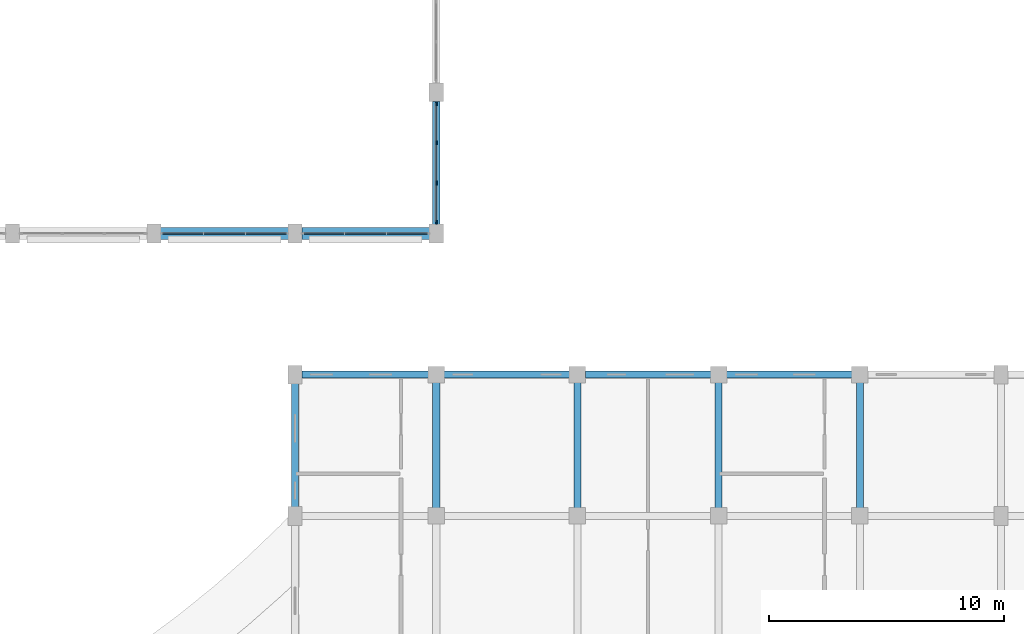
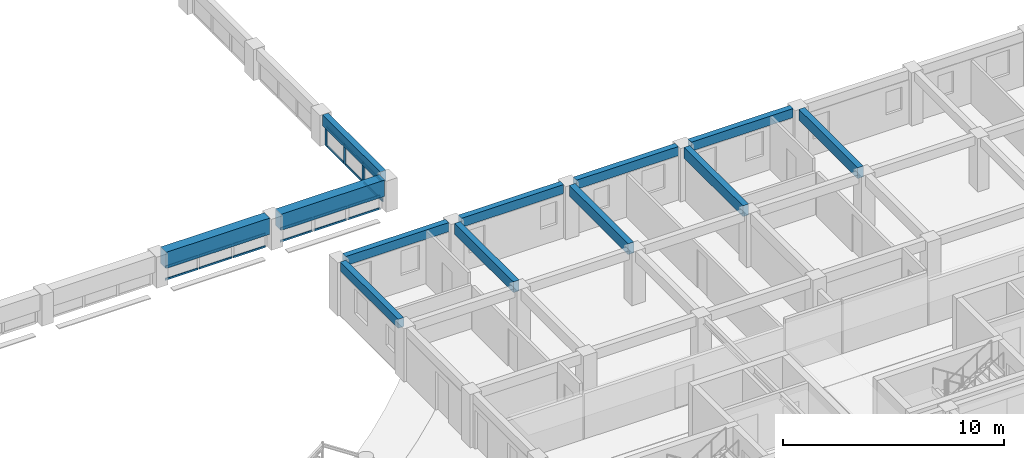
# One storey, part 36 of 137: 22 members, 12 beams, 3 elements without a shape of their own.
"""IFC4 building model written with IfcOpenShell, lengths in metres."""

import ifcopenshell
import ifcopenshell.guid

model = None  # the IFC model being written
_history = None  # IfcOwnerHistory: only IFC2X3 demands one
_inside = {}  # id of a spatial element -> (the spatial element, [elements in it])
_under = {}  # id of a project, library or spatial element -> (it, [spatial elements below it])
_declared = {}  # id of a project -> (the project, [libraries it declares])
_typed = {}  # id of a type object -> (the type object, [elements of that type])
_made_of = {}  # id of a material, layer set ... -> (it, [elements and type objects made of it])


def new_model(schema):
    """Start an empty IFC model of exactly this schema.

    Asked for "IFC4X3", IfcOpenShell would pick the latest addendum, in which some entities
    have other attributes; the version numbers below select the first issue.
    IFC2X3 requires an IfcOwnerHistory on every rooted entity: one is made here for all.
    """
    global model, _history
    if schema == "IFC4X3":
        model = ifcopenshell.file(schema_version=(4, 3, 0, 0))
    else:
        model = ifcopenshell.file(schema=schema)
    _inside.clear()
    _under.clear()
    _declared.clear()
    _typed.clear()
    _made_of.clear()
    _history = None
    if model.schema == "IFC2X3":
        org = make("IfcOrganization", Name="unknown")
        user = make(
            "IfcPersonAndOrganization",
            ThePerson=make("IfcPerson", FamilyName="unknown"),
            TheOrganization=org,
        )
        app = make(
            "IfcApplication",
            ApplicationDeveloper=org,
            Version="unknown",
            ApplicationFullName="unknown",
            ApplicationIdentifier="unknown",
        )
        _history = make(
            "IfcOwnerHistory",
            OwningUser=user,
            OwningApplication=app,
            ChangeAction="ADDED",
            CreationDate=0,
        )
    return model


def make(cls, **values):
    """One entity of the class cls with the attributes given. An attribute that is None is left unset."""
    return model.create_entity(
        cls, **{name: value for name, value in values.items() if value is not None}
    )


def rooted(cls, **values):
    """An entity with a GlobalId (a new one), such as an element, a storey or a relation."""
    return make(cls, GlobalId=ifcopenshell.guid.new(), OwnerHistory=_history, **values)


def si_unit(unit_type, name, prefix=None):
    """IfcSIUnit, for example si_unit("LENGTHUNIT", "METRE", prefix="MILLI")."""
    return make("IfcSIUnit", UnitType=unit_type, Prefix=prefix, Name=name)


def assignment(units):
    """IfcUnitAssignment: the units of a project."""
    return None if units is None else make("IfcUnitAssignment", Units=units)


def point(xyz):
    """IfcCartesianPoint."""
    return None if xyz is None else make("IfcCartesianPoint", Coordinates=xyz)


def direction(xyz):
    """IfcDirection."""
    return None if xyz is None else make("IfcDirection", DirectionRatios=xyz)


def frame(location, z_axis=None, x_axis=None):
    """IfcAxis2Placement3D, a coordinate frame: its origin and axes. An axis left out is left unset."""
    return make(
        "IfcAxis2Placement3D",
        Location=point(location),
        Axis=direction(z_axis),
        RefDirection=direction(x_axis),
    )


def frame_2d(location, x_axis=None):
    """IfcAxis2Placement2D, a coordinate frame in the plane: its origin and x axis."""
    return make(
        "IfcAxis2Placement2D", Location=point(location), RefDirection=direction(x_axis)
    )


def origin():
    """The frame at (0, 0, 0) with its axes left unset."""
    return frame((0.0, 0.0, 0.0))


def origin_2d():
    """The frame at (0, 0) in the plane with its x axis left unset."""
    return frame_2d((0.0, 0.0))


def place(relative_to, where):
    """IfcLocalPlacement: puts the frame where relative to a parent placement (None: the world)."""
    return make(
        "IfcLocalPlacement", PlacementRelTo=relative_to, RelativePlacement=where
    )


def context(
    kind, dimensions, precision=None, world=None, true_north=None, identifier=None
):
    """IfcGeometricRepresentationContext, for example the 3D "Model" context."""
    return make(
        "IfcGeometricRepresentationContext",
        ContextIdentifier=identifier,
        ContextType=kind,
        CoordinateSpaceDimension=dimensions,
        Precision=precision,
        WorldCoordinateSystem=world,
        TrueNorth=true_north,
    )


def subcontext(parent, identifier, kind, view, scale=None):
    """IfcGeometricRepresentationSubContext, for example "Body" below "Model"."""
    return make(
        "IfcGeometricRepresentationSubContext",
        ContextIdentifier=identifier,
        ContextType=kind,
        ParentContext=parent,
        TargetScale=scale,
        TargetView=view,
    )


def project(units=None, contexts=None):
    """IfcProject with its units and contexts."""
    return rooted(
        "IfcProject",
        Name="project",
        RepresentationContexts=contexts,
        UnitsInContext=assignment(units),
    )


def spatial(cls, under=None, at=None, **own):
    """A site, building, storey or space (cls), placed at a placement, below another one or the project."""
    s = rooted(cls, ObjectPlacement=at, **own)
    if under is not None:
        _under.setdefault(under.id(), (under, []))[1].append(s)
    return s


def profile(cls, at=None, kind="AREA", **sizes):
    """A parametric profile (cls). Its sizes go by their IFC names, for example OverallWidth=200.0."""
    return make(cls, ProfileType=kind, Position=at, **sizes)


def rectangle(**sizes):
    """IfcRectangleProfileDef."""
    return profile("IfcRectangleProfileDef", **sizes)


def extrude(swept, where, along, depth):
    """IfcExtrudedAreaSolid: the profile swept, set in the frame where, extruded along a direction by depth."""
    return make(
        "IfcExtrudedAreaSolid",
        SweptArea=swept,
        Position=where,
        ExtrudedDirection=direction(along),
        Depth=depth,
    )


def shape(context_of_items, identifier, shape_type, items):
    """IfcShapeRepresentation: the items that make up one representation, for example the "Body"."""
    return make(
        "IfcShapeRepresentation",
        ContextOfItems=context_of_items,
        RepresentationIdentifier=identifier,
        RepresentationType=shape_type,
        Items=items,
    )


def material(Name=None, Category=None):
    """IfcMaterial."""
    return make("IfcMaterial", Name=Name, Category=Category)


def layer(
    of_material, thickness, ventilated=None, Name=None, Category=None, Priority=None
):
    """IfcMaterialLayer: one layer of a wall or slab, of a material (None: an air gap)."""
    return make(
        "IfcMaterialLayer",
        Material=of_material,
        LayerThickness=thickness,
        IsVentilated=ventilated,
        Name=Name,
        Category=Category,
        Priority=Priority,
    )


def layer_set(layers, Name=None):
    """IfcMaterialLayerSet."""
    return make("IfcMaterialLayerSet", MaterialLayers=layers, LayerSetName=Name)


def material_profile(
    of_material, cross_section, Name=None, Category=None, Priority=None
):
    """IfcMaterialProfile: a cross section and its material."""
    return make(
        "IfcMaterialProfile",
        Name=Name,
        Material=of_material,
        Profile=cross_section,
        Priority=Priority,
        Category=Category,
    )


def profile_set(profiles, Name=None, composite=None):
    """IfcMaterialProfileSet."""
    return make(
        "IfcMaterialProfileSet",
        Name=Name,
        MaterialProfiles=profiles,
        CompositeProfile=composite,
    )


def made_of(thing, what):
    """Note that an element or type object is made of a material, layer set ...; save() writes the relation."""
    if what is not None:
        _made_of.setdefault(what.id(), (what, []))[1].append(thing)
    return thing


def type_object(cls, material=None, **own):
    """A type object (cls), such as IfcWallType, which elements share."""
    return made_of(rooted(cls, **own), material)


def element(
    cls,
    number,
    at=None,
    inside=None,
    cuts=None,
    type_object=None,
    material=None,
    context=None,
    identifier="Body",
    shape_type=None,
    held_by="IfcProductDefinitionShape",
    body=None,
    shapes=None,
    **own,
):
    """One element of the class cls, such as IfcWall. Its Tag is "e" and its number.

    at: its placement. inside: the storey or other place that contains it. cuts: it is an
    opening in that element (IfcRelVoidsElement). A single representation is given by context,
    identifier, shape_type and body (its items); several are given by shapes. held_by: the class
    of the entity that holds the representations. save() writes the other relations.
    """
    e = rooted(cls, Tag="e%d" % number, ObjectPlacement=at, **own)
    if body is not None:
        shapes = [shape(context, identifier, shape_type, body)]
    if shapes is not None:
        e.Representation = make(held_by, Representations=shapes)
    if inside is not None:
        _inside.setdefault(inside.id(), (inside, []))[1].append(e)
    if cuts is not None:
        rooted(
            "IfcRelVoidsElement", RelatingBuildingElement=cuts, RelatedOpeningElement=e
        )
    if type_object is not None:
        _typed.setdefault(type_object.id(), (type_object, []))[1].append(e)
    return made_of(e, material)


def aggregate(whole, parts):
    """IfcRelAggregates: a whole, such as a stair, and the parts it consists of."""
    return rooted("IfcRelAggregates", RelatingObject=whole, RelatedObjects=parts)


def save(model, path):
    """Write the relations noted so far, then the file.

    IfcRelAggregates (storeys below a building ...), IfcRelContainedInSpatialStructure (elements
    in a storey), IfcRelDefinesByType, IfcRelAssociatesMaterial and IfcRelDeclares: one each for
    every whole, place, type object, material and project.
    """
    for whole, parts in _under.values():
        aggregate(whole, parts)
    for where, things in _inside.values():
        rooted(
            "IfcRelContainedInSpatialStructure",
            RelatedElements=things,
            RelatingStructure=where,
        )
    for kind, things in _typed.values():
        rooted("IfcRelDefinesByType", RelatedObjects=things, RelatingType=kind)
    for what, things in _made_of.values():
        rooted("IfcRelAssociatesMaterial", RelatedObjects=things, RelatingMaterial=what)
    for by, libraries in _declared.values():
        rooted("IfcRelDeclares", RelatingContext=by, RelatedDefinitions=libraries)
    model.write(path)


model = new_model("IFC4")

# Units and contexts
model_context = context("Model", 3, precision=1e-05, world=origin(), true_north=direction((0.0, 1.0)))
body_context = subcontext(model_context, "Body", "Model", "MODEL_VIEW")
ifc_project = project(units=[si_unit("LENGTHUNIT", "METRE"), si_unit("AREAUNIT", "SQUARE_METRE"), si_unit("VOLUMEUNIT", "CUBIC_METRE"), si_unit("PLANEANGLEUNIT", "RADIAN"), si_unit("MASSUNIT", "GRAM", prefix="KILO"), si_unit("POWERUNIT", "WATT"), si_unit("THERMODYNAMICTEMPERATUREUNIT", "KELVIN")], contexts=[model_context])

# Site, building, storey
site_placement = place(None, origin())
site = spatial("IfcSite", under=ifc_project, at=site_placement, CompositionType="ELEMENT")
building_placement = place(site_placement, origin())
building = spatial("IfcBuilding", under=site, at=building_placement, Name="Ruvembo Vaulted Housing Court", CompositionType="ELEMENT")
storey_placement = place(building_placement, frame((0.0, 0.0, 4.5)))
storey = spatial("IfcBuildingStorey", under=building, at=storey_placement, Name="L01", CompositionType="ELEMENT", Elevation=4.5)

# Beams
ifc_material_1 = material(Name="Concrete C35/45", Category="concrete")
ifc_material_profile_1 = material_profile(ifc_material_1, rectangle(XDim=0.300048828125, YDim=0.60009765625, at=origin_2d()), Name="RC 300x600")
ifc_profile_set_1 = profile_set([ifc_material_profile_1], Name="Concrete C35/45")
beam_type_1 = type_object("IfcBeamType", Name="BM-RC-300x600", PredefinedType="BEAM", material=ifc_profile_set_1)
beam_1_placement = place(storey_placement, frame((108.0, 30.3349609375, 2.64501953125), z_axis=(0.0, 1.0, 0.0), x_axis=(-1.0, 0.0, 0.0)))
element("IfcBeam", 1, at=beam_1_placement, inside=storey, type_object=beam_type_1, Name="L01 Grid Beam Y #1391", PredefinedType="BEAM", context=body_context, shape_type="SweptSolid", body=[
    extrude(rectangle(XDim=0.300048828125, YDim=0.60009765625, at=origin_2d()), origin(), (0.0, 0.0, 1.0), 5.330078125),
])
beam_2_placement = place(storey_placement, frame((108.0, 42.385009765625, 1.39990234375), z_axis=(0.0, 1.0, 0.0), x_axis=(-1.0, 0.0, 0.0)))
element("IfcBeam", 2, at=beam_2_placement, inside=storey, type_object=beam_type_1, Name="L01 Grid Beam Y #1392", PredefinedType="BEAM", context=body_context, shape_type="SweptSolid", body=[
    extrude(rectangle(XDim=0.300048828125, YDim=0.60009765625, at=origin_2d()), origin(), (0.0, 0.0, 1.0), 5.22998046875),
])
for number, where, z_axis, x_axis, name in (
    (3, (114.0, 30.3349609375, 2.64501953125), (0.0, 1.0, 0.0), (-1.0, 0.0, 0.0), "L01 Grid Beam Y #1400"),
    (4, (120.0, 30.3349609375, 2.64501953125), (0.0, 1.0, 0.0), (-1.0, 0.0, 0.0), "L01 Grid Beam Y #1404"),
    (5, (126.0, 30.3349609375, 2.64501953125), (0.0, 1.0, 0.0), (-1.0, 0.0, 0.0), "L01 Grid Beam Y #1408"),
):
    element("IfcBeam", number, at=place(storey_placement, frame(where, z_axis=z_axis, x_axis=x_axis)), inside=storey, type_object=beam_type_1, Name=name, PredefinedType="BEAM", context=body_context, shape_type="SweptSolid", body=[
        extrude(rectangle(XDim=0.300048828125, YDim=0.60009765625, at=origin_2d()), origin(), (0.0, 0.0, 1.0), 5.330078125),
    ])

# Curtain wall, members
ifc_material_2 = material(Name="Anodised Aluminium and Solar-Control Glass", Category="aluminium")
ifc_layer_1 = layer(ifc_material_2, 0.179931640625, Name="Anodised Aluminium and Solar-Control Glass")
ifc_layer_set_1 = layer_set([ifc_layer_1], Name="Anodised Aluminium and Solar-Control Glass")
curtain_wall_type_1 = type_object("IfcCurtainWallType", Name="CW-HALL-TYMP", PredefinedType="NOTDEFINED", material=ifc_layer_set_1)
curtain_wall_1_placement = place(storey_placement, origin())
curtain_wall_1 = element("IfcCurtainWall", 6, at=curtain_wall_1_placement, inside=storey, type_object=curtain_wall_type_1, Name="L01 Curtain Wall CW-L01-0122", PredefinedType="NOTDEFINED")
ifc_material_3 = material(Name="Anodised Aluminium 6063-T6", Category="aluminium")
ifc_material_profile_2 = material_profile(ifc_material_3, rectangle(XDim=0.06494140625, YDim=0.179931640625, at=origin_2d()), Name="ALU 65x180")
ifc_profile_set_2 = profile_set([ifc_material_profile_2], Name="Anodised Aluminium 6063-T6")
member_type_1 = type_object("IfcMemberType", Name="CW-MUL-65x180", PredefinedType="MULLION", material=ifc_profile_set_2)
member_1_placement = place(storey_placement, frame((108.0, 42.482421875, 0.0), z_axis=(0.0, 0.0, 1.0), x_axis=(-1.0, 0.0, 0.0)))
member_1 = element("IfcMember", 7, at=member_1_placement, type_object=member_type_1, Name="CW2 mullion 1", PredefinedType="MULLION", context=body_context, shape_type="SweptSolid", body=[
    extrude(rectangle(XDim=0.06494140625, YDim=0.179931640625, at=origin_2d()), origin(), (0.0, 0.0, 1.0), 1.10009765625),
])
member_2_placement = place(storey_placement, frame((108.0, 44.14990234375, 0.0), z_axis=(0.0, 0.0, 1.0), x_axis=(-1.0, 0.0, 0.0)))
member_2 = element("IfcMember", 8, at=member_2_placement, type_object=member_type_1, Name="CW2 mullion 2", PredefinedType="MULLION", context=body_context, shape_type="SweptSolid", body=[
    extrude(rectangle(XDim=0.06494140625, YDim=0.179931640625, at=origin_2d()), origin(), (0.0, 0.0, 1.0), 1.10009765625),
])
member_3_placement = place(storey_placement, frame((108.0, 45.85009765625, 0.0), z_axis=(0.0, 0.0, 1.0), x_axis=(-1.0, 0.0, 0.0)))
member_3 = element("IfcMember", 9, at=member_3_placement, type_object=member_type_1, Name="CW2 mullion 3", PredefinedType="MULLION", context=body_context, shape_type="SweptSolid", body=[
    extrude(rectangle(XDim=0.06494140625, YDim=0.179931640625, at=origin_2d()), origin(), (0.0, 0.0, 1.0), 1.10009765625),
])
member_4_placement = place(storey_placement, frame((108.0, 47.517578125, 0.0), z_axis=(0.0, 0.0, 1.0), x_axis=(-1.0, 0.0, 0.0)))
member_4 = element("IfcMember", 10, at=member_4_placement, type_object=member_type_1, Name="CW2 mullion 4", PredefinedType="MULLION", context=body_context, shape_type="SweptSolid", body=[
    extrude(rectangle(XDim=0.06494140625, YDim=0.179931640625, at=origin_2d()), origin(), (0.0, 0.0, 1.0), 1.10009765625),
])

ifc_layer_2 = layer(ifc_material_2, 0.139892578125, Name="Anodised Aluminium and Solar-Control Glass")
ifc_layer_set_2 = layer_set([ifc_layer_2], Name="Anodised Aluminium and Solar-Control Glass")
curtain_wall_type_2 = type_object("IfcCurtainWallType", Name="CW-HALL-CLER", PredefinedType="NOTDEFINED", material=ifc_layer_set_2)
curtain_wall_2_placement = place(storey_placement, origin())
curtain_wall_2 = element("IfcCurtainWall", 11, at=curtain_wall_2_placement, inside=storey, type_object=curtain_wall_type_2, Name="L01 Curtain Wall CW-L01-0107", PredefinedType="NOTDEFINED")
ifc_material_profile_3 = material_profile(ifc_material_3, rectangle(XDim=0.06005859375, YDim=0.10009765625, at=origin_2d()), Name="ALU 60x100")
ifc_profile_set_3 = profile_set([ifc_material_profile_3], Name="Anodised Aluminium 6063-T6")
member_type_2 = type_object("IfcMemberType", Name="CW-TRN-60x100", PredefinedType="USERDEFINED", material=ifc_profile_set_3)
member_5_placement = place(storey_placement, frame((96.3798828125, 42.0, 0.030029296875), z_axis=(1.0, 0.0, 0.0), x_axis=(0.0, 1.0, 0.0)))
member_5 = element("IfcMember", 12, at=member_5_placement, type_object=member_type_2, Name="CW7 transom 1.1", ObjectType="TRANSOM", PredefinedType="USERDEFINED", context=body_context, shape_type="SweptSolid", body=[
    extrude(rectangle(XDim=0.06005859375, YDim=0.10009765625, at=origin_2d()), origin(), (0.0, 0.0, 1.0), 1.700927734375),
])
member_6_placement = place(storey_placement, frame((96.3798828125, 42.0, 0.719970703125), z_axis=(1.0, 0.0, 0.0), x_axis=(0.0, 1.0, 0.0)))
member_6 = element("IfcMember", 13, at=member_6_placement, type_object=member_type_2, Name="CW7 transom 1.2", ObjectType="TRANSOM", PredefinedType="USERDEFINED", context=body_context, shape_type="SweptSolid", body=[
    extrude(rectangle(XDim=0.06005859375, YDim=0.10009765625, at=origin_2d()), origin(), (0.0, 0.0, 1.0), 1.700927734375),
])
member_7_placement = place(storey_placement, frame((98.1357421875, 42.0, 0.030029296875), z_axis=(1.0, 0.0, 0.0), x_axis=(0.0, 1.0, 0.0)))
member_7 = element("IfcMember", 14, at=member_7_placement, type_object=member_type_2, Name="CW7 transom 2.1", ObjectType="TRANSOM", PredefinedType="USERDEFINED", context=body_context, shape_type="SweptSolid", body=[
    extrude(rectangle(XDim=0.06005859375, YDim=0.10009765625, at=origin_2d()), origin(), (0.0, 0.0, 1.0), 1.728515625),
])
member_8_placement = place(storey_placement, frame((98.1357421875, 42.0, 0.719970703125), z_axis=(1.0, 0.0, 0.0), x_axis=(0.0, 1.0, 0.0)))
member_8 = element("IfcMember", 15, at=member_8_placement, type_object=member_type_2, Name="CW7 transom 2.2", ObjectType="TRANSOM", PredefinedType="USERDEFINED", context=body_context, shape_type="SweptSolid", body=[
    extrude(rectangle(XDim=0.06005859375, YDim=0.10009765625, at=origin_2d()), origin(), (0.0, 0.0, 1.0), 1.728515625),
])
member_9_placement = place(storey_placement, frame((99.919189453125, 42.0, 0.030029296875), z_axis=(1.0, 0.0, 0.0), x_axis=(0.0, 1.0, 0.0)))
member_9 = element("IfcMember", 16, at=member_9_placement, type_object=member_type_2, Name="CW7 transom 3.1", ObjectType="TRANSOM", PredefinedType="USERDEFINED", context=body_context, shape_type="SweptSolid", body=[
    extrude(rectangle(XDim=0.06005859375, YDim=0.10009765625, at=origin_2d()), origin(), (0.0, 0.0, 1.0), 1.700927734375),
])
member_10_placement = place(storey_placement, frame((99.919189453125, 42.0, 0.719970703125), z_axis=(1.0, 0.0, 0.0), x_axis=(0.0, 1.0, 0.0)))
member_10 = element("IfcMember", 17, at=member_10_placement, type_object=member_type_2, Name="CW7 transom 3.2", ObjectType="TRANSOM", PredefinedType="USERDEFINED", context=body_context, shape_type="SweptSolid", body=[
    extrude(rectangle(XDim=0.06005859375, YDim=0.10009765625, at=origin_2d()), origin(), (0.0, 0.0, 1.0), 1.700927734375),
])
aggregate(curtain_wall_2, [member_5, member_6, member_7, member_8, member_9, member_10])

curtain_wall_3_placement = place(storey_placement, origin())
curtain_wall_3 = element("IfcCurtainWall", 18, at=curtain_wall_3_placement, inside=storey, type_object=curtain_wall_type_2, Name="L01 Curtain Wall CW-L01-0110", PredefinedType="NOTDEFINED")
member_11_placement = place(storey_placement, frame((102.389892578125, 42.0, 0.030029296875), z_axis=(1.0, 0.0, 0.0), x_axis=(0.0, 1.0, 0.0)))
member_11 = element("IfcMember", 19, at=member_11_placement, type_object=member_type_2, Name="CW7 transom 1.1", ObjectType="TRANSOM", PredefinedType="USERDEFINED", context=body_context, shape_type="SweptSolid", body=[
    extrude(rectangle(XDim=0.06005859375, YDim=0.10009765625, at=origin_2d()), origin(), (0.0, 0.0, 1.0), 1.68603515625),
])
member_12_placement = place(storey_placement, frame((102.389892578125, 42.0, 0.719970703125), z_axis=(1.0, 0.0, 0.0), x_axis=(0.0, 1.0, 0.0)))
member_12 = element("IfcMember", 20, at=member_12_placement, type_object=member_type_2, Name="CW7 transom 1.2", ObjectType="TRANSOM", PredefinedType="USERDEFINED", context=body_context, shape_type="SweptSolid", body=[
    extrude(rectangle(XDim=0.06005859375, YDim=0.10009765625, at=origin_2d()), origin(), (0.0, 0.0, 1.0), 1.68603515625),
])
member_13_placement = place(storey_placement, frame((104.140869140625, 42.0, 0.030029296875), z_axis=(1.0, 0.0, 0.0), x_axis=(0.0, 1.0, 0.0)))
member_13 = element("IfcMember", 21, at=member_13_placement, type_object=member_type_2, Name="CW7 transom 2.1", ObjectType="TRANSOM", PredefinedType="USERDEFINED", context=body_context, shape_type="SweptSolid", body=[
    extrude(rectangle(XDim=0.06005859375, YDim=0.10009765625, at=origin_2d()), origin(), (0.0, 0.0, 1.0), 1.71826171875),
])
member_14_placement = place(storey_placement, frame((104.140869140625, 42.0, 0.719970703125), z_axis=(1.0, 0.0, 0.0), x_axis=(0.0, 1.0, 0.0)))
member_14 = element("IfcMember", 22, at=member_14_placement, type_object=member_type_2, Name="CW7 transom 2.2", ObjectType="TRANSOM", PredefinedType="USERDEFINED", context=body_context, shape_type="SweptSolid", body=[
    extrude(rectangle(XDim=0.06005859375, YDim=0.10009765625, at=origin_2d()), origin(), (0.0, 0.0, 1.0), 1.71826171875),
])
member_15_placement = place(storey_placement, frame((105.924072265625, 42.0, 0.030029296875), z_axis=(1.0, 0.0, 0.0), x_axis=(0.0, 1.0, 0.0)))
member_15 = element("IfcMember", 23, at=member_15_placement, type_object=member_type_2, Name="CW7 transom 3.1", ObjectType="TRANSOM", PredefinedType="USERDEFINED", context=body_context, shape_type="SweptSolid", body=[
    extrude(rectangle(XDim=0.06005859375, YDim=0.10009765625, at=origin_2d()), origin(), (0.0, 0.0, 1.0), 1.68603515625),
])
member_16_placement = place(storey_placement, frame((105.924072265625, 42.0, 0.719970703125), z_axis=(1.0, 0.0, 0.0), x_axis=(0.0, 1.0, 0.0)))
member_16 = element("IfcMember", 24, at=member_16_placement, type_object=member_type_2, Name="CW7 transom 3.2", ObjectType="TRANSOM", PredefinedType="USERDEFINED", context=body_context, shape_type="SweptSolid", body=[
    extrude(rectangle(XDim=0.06005859375, YDim=0.10009765625, at=origin_2d()), origin(), (0.0, 0.0, 1.0), 1.68603515625),
])
aggregate(curtain_wall_3, [member_11, member_12, member_13, member_14, member_15, member_16])

# Member
member_17_placement = place(storey_placement, frame((108.0, 42.514892578125, 0.030029296875), z_axis=(0.0, 1.0, 0.0), x_axis=(-1.0, 0.0, 0.0)))
member_17 = element("IfcMember", 25, at=member_17_placement, type_object=member_type_2, Name="CW2 transom 1.1", ObjectType="TRANSOM", PredefinedType="USERDEFINED", context=body_context, shape_type="SweptSolid", body=[
    extrude(rectangle(XDim=0.06005859375, YDim=0.10009765625, at=origin_2d()), origin(), (0.0, 0.0, 1.0), 1.6025390625),
])

member_18_placement = place(storey_placement, frame((108.0, 42.514892578125, 1.070068359375), z_axis=(0.0, 1.0, 0.0), x_axis=(-1.0, 0.0, 0.0)))
member_18 = element("IfcMember", 26, at=member_18_placement, type_object=member_type_2, Name="CW2 transom 1.2", ObjectType="TRANSOM", PredefinedType="USERDEFINED", context=body_context, shape_type="SweptSolid", body=[
    extrude(rectangle(XDim=0.06005859375, YDim=0.10009765625, at=origin_2d()), origin(), (0.0, 0.0, 1.0), 1.6025390625),
])

member_19_placement = place(storey_placement, frame((108.0, 44.1826171875, 0.030029296875), z_axis=(0.0, 1.0, 0.0), x_axis=(-1.0, 0.0, 0.0)))
member_19 = element("IfcMember", 27, at=member_19_placement, type_object=member_type_2, Name="CW2 transom 2.1", ObjectType="TRANSOM", PredefinedType="USERDEFINED", context=body_context, shape_type="SweptSolid", body=[
    extrude(rectangle(XDim=0.06005859375, YDim=0.10009765625, at=origin_2d()), origin(), (0.0, 0.0, 1.0), 1.634765625),
])

member_20_placement = place(storey_placement, frame((108.0, 44.1826171875, 1.070068359375), z_axis=(0.0, 1.0, 0.0), x_axis=(-1.0, 0.0, 0.0)))
member_20 = element("IfcMember", 28, at=member_20_placement, type_object=member_type_2, Name="CW2 transom 2.2", ObjectType="TRANSOM", PredefinedType="USERDEFINED", context=body_context, shape_type="SweptSolid", body=[
    extrude(rectangle(XDim=0.06005859375, YDim=0.10009765625, at=origin_2d()), origin(), (0.0, 0.0, 1.0), 1.634765625),
])

member_21_placement = place(storey_placement, frame((108.0, 45.882568359375, 0.030029296875), z_axis=(0.0, 1.0, 0.0), x_axis=(-1.0, 0.0, 0.0)))
member_21 = element("IfcMember", 29, at=member_21_placement, type_object=member_type_2, Name="CW2 transom 3.1", ObjectType="TRANSOM", PredefinedType="USERDEFINED", context=body_context, shape_type="SweptSolid", body=[
    extrude(rectangle(XDim=0.06005859375, YDim=0.10009765625, at=origin_2d()), origin(), (0.0, 0.0, 1.0), 1.6025390625),
])

member_22_placement = place(storey_placement, frame((108.0, 45.882568359375, 1.070068359375), z_axis=(0.0, 1.0, 0.0), x_axis=(-1.0, 0.0, 0.0)))
member_22 = element("IfcMember", 30, at=member_22_placement, type_object=member_type_2, Name="CW2 transom 3.2", ObjectType="TRANSOM", PredefinedType="USERDEFINED", context=body_context, shape_type="SweptSolid", body=[
    extrude(rectangle(XDim=0.06005859375, YDim=0.10009765625, at=origin_2d()), origin(), (0.0, 0.0, 1.0), 1.6025390625),
])

aggregate(curtain_wall_1, [member_1, member_2, member_3, member_4, member_17, member_18, member_19, member_20, member_21, member_22])

# Beams
ifc_material_profile_4 = material_profile(ifc_material_1, rectangle(XDim=0.300048828125, YDim=0.5, at=origin_2d()), Name="RC 300x500")
ifc_profile_set_4 = profile_set([ifc_material_profile_4], Name="Concrete C35/45")
beam_type_2 = type_object("IfcBeamType", Name="SP-RC-300x500", PredefinedType="SPANDREL", material=ifc_profile_set_4)
beam_3_placement = place(storey_placement, frame((102.284912109375, 36.0, 2.695068359375), z_axis=(1.0, 0.0, 0.0), x_axis=(0.0, 1.0, 0.0)))
element("IfcBeam", 31, at=beam_3_placement, inside=storey, type_object=beam_type_2, Name="L01 Grid Beam X #1198", PredefinedType="SPANDREL", context=body_context, shape_type="SweptSolid", body=[
    extrude(rectangle(XDim=0.300048828125, YDim=0.5, at=origin_2d()), origin(), (0.0, 0.0, 1.0), 5.380126953125),
])
for number, where, z_axis, x_axis, name in (
    (32, (108.3349609375, 36.0, 2.695068359375), (1.0, 0.0, 0.0), (0.0, 1.0, 0.0), "L01 Grid Beam X #1199"),
    (33, (114.3349609375, 36.0, 2.695068359375), (1.0, 0.0, 0.0), (0.0, 1.0, 0.0), "L01 Grid Beam X #1200"),
    (34, (120.3349609375, 36.0, 2.695068359375), (1.0, 0.0, 0.0), (0.0, 1.0, 0.0), "L01 Grid Beam X #1201"),
):
    element("IfcBeam", number, at=place(storey_placement, frame(where, z_axis=z_axis, x_axis=x_axis)), inside=storey, type_object=beam_type_2, Name=name, PredefinedType="SPANDREL", context=body_context, shape_type="SweptSolid", body=[
        extrude(rectangle(XDim=0.300048828125, YDim=0.5, at=origin_2d()), origin(), (0.0, 0.0, 1.0), 5.330078125),
    ])
beam_4_placement = place(storey_placement, frame((102.0, 30.385009765625, 2.695068359375), z_axis=(0.0, 1.0, 0.0), x_axis=(-1.0, 0.0, 0.0)))
element("IfcBeam", 35, at=beam_4_placement, inside=storey, type_object=beam_type_2, Name="L01 Grid Beam Y #1387", PredefinedType="SPANDREL", context=body_context, shape_type="SweptSolid", body=[
    extrude(rectangle(XDim=0.300048828125, YDim=0.5, at=origin_2d()), origin(), (0.0, 0.0, 1.0), 5.22998046875),
])
ifc_material_profile_5 = material_profile(ifc_material_1, rectangle(XDim=0.5, YDim=0.89990234375, at=origin_2d()), Name="RC 500x900")
ifc_profile_set_5 = profile_set([ifc_material_profile_5], Name="Concrete C35/45")
beam_type_3 = type_object("IfcBeamType", Name="SP-RC-500x900", PredefinedType="SPANDREL", material=ifc_profile_set_5)
for number, where, z_axis, x_axis, name in (
    (36, (96.284912109375, 42.0, 1.25), (1.0, 0.0, 0.0), (0.0, 1.0, 0.0), "L01 Grid Beam X #1219"),
    (37, (102.284912109375, 42.0, 1.25), (1.0, 0.0, 0.0), (0.0, 1.0, 0.0), "L01 Grid Beam X #1220"),
):
    element("IfcBeam", number, at=place(storey_placement, frame(where, z_axis=z_axis, x_axis=x_axis)), inside=storey, type_object=beam_type_3, Name=name, PredefinedType="SPANDREL", context=body_context, shape_type="SweptSolid", body=[
        extrude(rectangle(XDim=0.5, YDim=0.89990234375, at=origin_2d()), origin(), (0.0, 0.0, 1.0), 5.43017578125),
    ])

save(model, "model.ifc")
